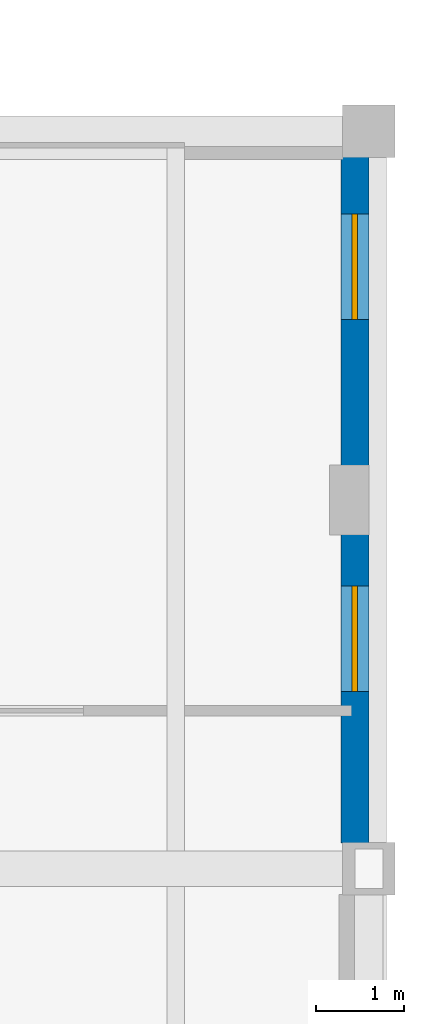
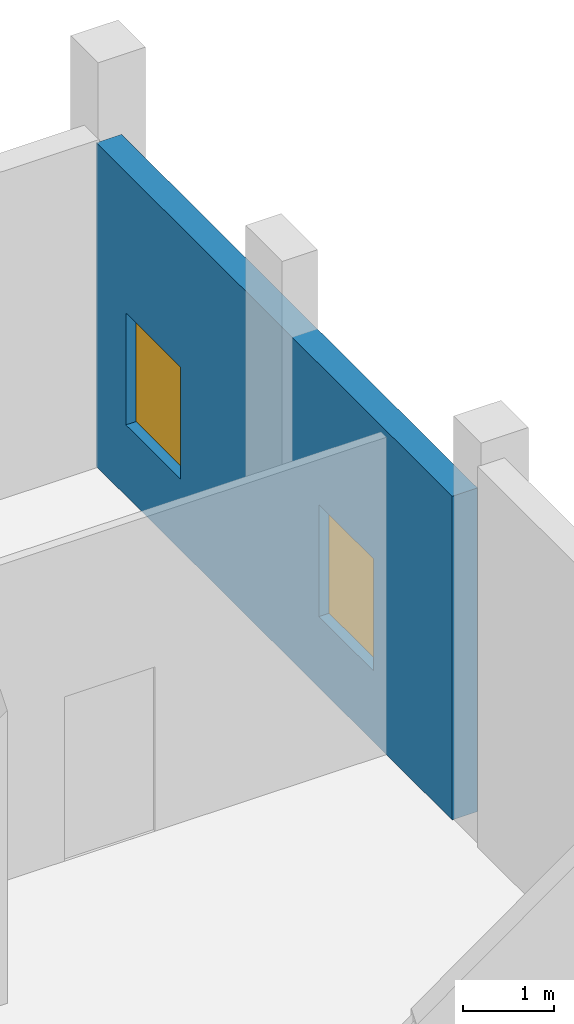
# One storey, part 50 of 64: 2 windows, 1 wall, 2 openings.
"""IFC4 building model written with IfcOpenShell, lengths in metres."""

from ifc_helpers import new_model, si_unit, direction, frame, frame_2d, origin, place, context, subcontext, project, spatial, rectangle, extrude, material, layer, layer_set, type_object, element, fill, save


model = new_model("IFC4")

# Units and contexts
model_context = context("Model", 3, precision=1e-05, world=origin(), true_north=direction((0.0, 1.0)))
body_context = subcontext(model_context, "Body", "Model", "MODEL_VIEW")
ifc_project = project(units=[si_unit("LENGTHUNIT", "METRE"), si_unit("AREAUNIT", "SQUARE_METRE"), si_unit("VOLUMEUNIT", "CUBIC_METRE"), si_unit("PLANEANGLEUNIT", "RADIAN"), si_unit("MASSUNIT", "GRAM", prefix="KILO")], contexts=[model_context])

# Site, building, storey
site_placement = place(None, origin())
site = spatial("IfcSite", under=ifc_project, at=site_placement, CompositionType="ELEMENT")
building_placement = place(site_placement, origin())
building = spatial("IfcBuilding", under=site, at=building_placement, Name="Qaldarim Faculty of Natural and Applied Sciences", CompositionType="ELEMENT")
storey_placement = place(building_placement, origin())
storey = spatial("IfcBuildingStorey", under=building, at=storey_placement, Name="L00", CompositionType="ELEMENT", Elevation=0.0)

# Wall, openings, windows
ifc_material_1 = material(Name="Precast concrete C40/50", Category="concrete")
ifc_layer = layer(ifc_material_1, 0.320068359375)
ifc_layer_set = layer_set([ifc_layer], Name="Precast concrete C40/50")
wall_type = type_object("IfcWallType", Name="ExteriorLimestoneWall-320", PredefinedType="SOLIDWALL", material=ifc_layer_set)
wall_placement = place(storey_placement, frame((178.0400390625, 109.4951171875, 0.0), z_axis=(0.0, 0.0, 1.0), x_axis=(0.0, 1.0, 0.0)))
wall = element("IfcWall", 1, at=wall_placement, inside=storey, type_object=wall_type, Name="Exterior wall EW01 L00 E X27Y14", PredefinedType="SOLIDWALL", context=body_context, shape_type="SweptSolid", body=[
    extrude(rectangle(XDim=7.809814453125, YDim=0.320068359375, at=frame_2d((3.90478515625, 0.0))), origin(), (0.0, 0.0, 1.0), 4.3349609375),
])
opening_1_placement = place(wall_placement, frame((1.72509765625, 0.0, 0.949951171875)))
opening_1 = element("IfcOpeningElement", 2, at=opening_1_placement, cuts=wall, Name="Opening WN01", PredefinedType="OPENING", context=body_context, shape_type="SweptSolid", body=[
    extrude(rectangle(XDim=1.199951171875, YDim=1.5, at=frame_2d((0.60009765625, 0.75))), frame((0.0, 0.169921875, 0.0), z_axis=(0.0, -1.0, 0.0), x_axis=(1.0, 0.0, 0.0)), (0.0, 0.0, 1.0), 0.340087890625),
])
opening_2_placement = place(wall_placement, frame((5.9599609375, 0.0, 0.949951171875)))
opening_2 = element("IfcOpeningElement", 3, at=opening_2_placement, cuts=wall, Name="Opening WN01", PredefinedType="OPENING", context=body_context, shape_type="SweptSolid", body=[
    extrude(rectangle(XDim=1.199951171875, YDim=1.5, at=frame_2d((0.60009765625, 0.75))), frame((0.0, 0.169921875, 0.0), z_axis=(0.0, -1.0, 0.0), x_axis=(1.0, 0.0, 0.0)), (0.0, 0.0, 1.0), 0.340087890625),
])
ifc_material_2 = material(Name="Insulated low-e double glazing", Category="glass")
window_type = type_object("IfcWindowType", Name="Window-1200x1500", PartitioningType="SINGLE_PANEL", PredefinedType="WINDOW", material=ifc_material_2)
window_1_placement = place(opening_1_placement, origin())
window_1 = element("IfcWindow", 4, at=window_1_placement, inside=storey, type_object=window_type, Name="Pilaster-bay flanking window L00 E X27Y14-1", OverallHeight=1.5, OverallWidth=1.199951171875, PartitioningType="SINGLE_PANEL", PredefinedType="WINDOW", context=body_context, shape_type="SweptSolid", body=[
    extrude(rectangle(XDim=1.199951171875, YDim=1.5, at=frame_2d((0.60009765625, 0.75))), frame((0.0, 0.030029296875, 0.0), z_axis=(0.0, -1.0, 0.0), x_axis=(1.0, 0.0, 0.0)), (0.0, 0.0, 1.0), 0.06005859375),
])
fill(opening_1, window_1)
window_2_placement = place(opening_2_placement, origin())
window_2 = element("IfcWindow", 5, at=window_2_placement, inside=storey, type_object=window_type, Name="Pilaster-bay flanking window L00 E X27Y14-2", OverallHeight=1.5, OverallWidth=1.199951171875, PartitioningType="SINGLE_PANEL", PredefinedType="WINDOW", context=body_context, shape_type="SweptSolid", body=[
    extrude(rectangle(XDim=1.199951171875, YDim=1.5, at=frame_2d((0.60009765625, 0.75))), frame((0.0, 0.030029296875, 0.0), z_axis=(0.0, -1.0, 0.0), x_axis=(1.0, 0.0, 0.0)), (0.0, 0.0, 1.0), 0.06005859375),
])
fill(opening_2, window_2)

save(model, "model.ifc")
